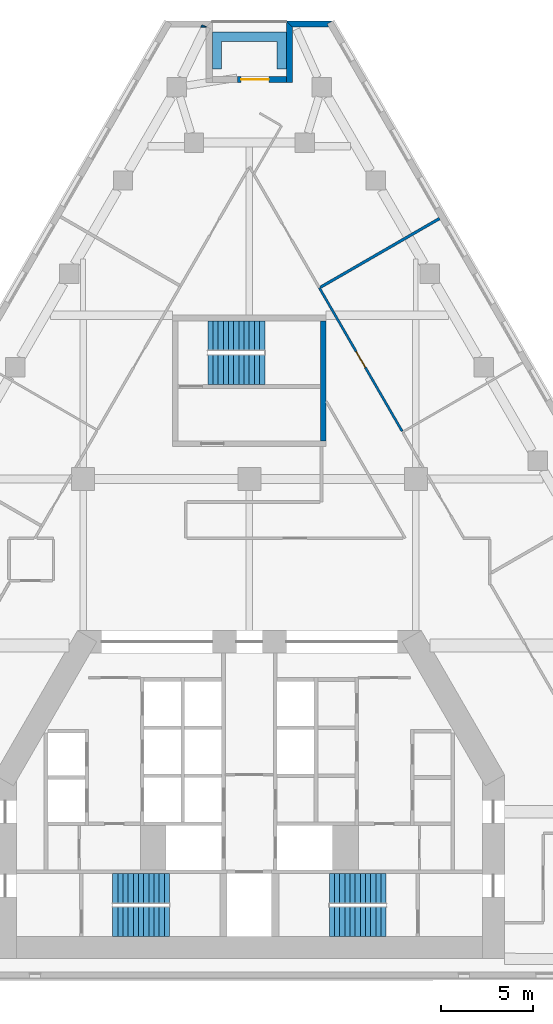
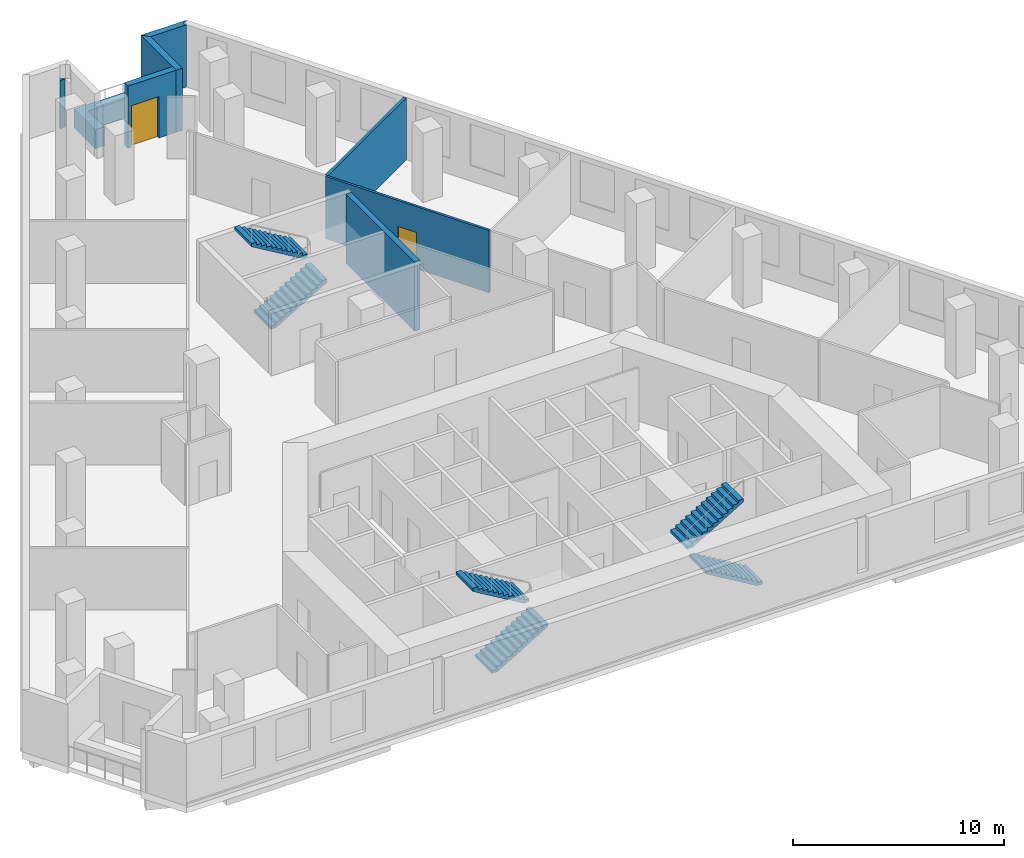
# One storey, part 9 of 10: 8 walls, 6 stair flights, 2 doors, 2 openings, 3 elements without a shape of their own.
"""IFC4 building model written with IfcOpenShell, lengths in metres."""

import ifcopenshell
import ifcopenshell.guid

model = None  # the IFC model being written
_history = None  # IfcOwnerHistory: only IFC2X3 demands one
_inside = {}  # id of a spatial element -> (the spatial element, [elements in it])
_under = {}  # id of a project, library or spatial element -> (it, [spatial elements below it])
_declared = {}  # id of a project -> (the project, [libraries it declares])
_typed = {}  # id of a type object -> (the type object, [elements of that type])
_made_of = {}  # id of a material, layer set ... -> (it, [elements and type objects made of it])


def new_model(schema):
    """Start an empty IFC model of exactly this schema.

    Asked for "IFC4X3", IfcOpenShell would pick the latest addendum, in which some entities
    have other attributes; the version numbers below select the first issue.
    IFC2X3 requires an IfcOwnerHistory on every rooted entity: one is made here for all.
    """
    global model, _history
    if schema == "IFC4X3":
        model = ifcopenshell.file(schema_version=(4, 3, 0, 0))
    else:
        model = ifcopenshell.file(schema=schema)
    _inside.clear()
    _under.clear()
    _declared.clear()
    _typed.clear()
    _made_of.clear()
    _history = None
    if model.schema == "IFC2X3":
        org = make("IfcOrganization", Name="unknown")
        user = make(
            "IfcPersonAndOrganization",
            ThePerson=make("IfcPerson", FamilyName="unknown"),
            TheOrganization=org,
        )
        app = make(
            "IfcApplication",
            ApplicationDeveloper=org,
            Version="unknown",
            ApplicationFullName="unknown",
            ApplicationIdentifier="unknown",
        )
        _history = make(
            "IfcOwnerHistory",
            OwningUser=user,
            OwningApplication=app,
            ChangeAction="ADDED",
            CreationDate=0,
        )
    return model


def make(cls, **values):
    """One entity of the class cls with the attributes given. An attribute that is None is left unset."""
    return model.create_entity(
        cls, **{name: value for name, value in values.items() if value is not None}
    )


def rooted(cls, **values):
    """An entity with a GlobalId (a new one), such as an element, a storey or a relation."""
    return make(cls, GlobalId=ifcopenshell.guid.new(), OwnerHistory=_history, **values)


def si_unit(unit_type, name, prefix=None):
    """IfcSIUnit, for example si_unit("LENGTHUNIT", "METRE", prefix="MILLI")."""
    return make("IfcSIUnit", UnitType=unit_type, Prefix=prefix, Name=name)


def assignment(units):
    """IfcUnitAssignment: the units of a project."""
    return None if units is None else make("IfcUnitAssignment", Units=units)


def point(xyz):
    """IfcCartesianPoint."""
    return None if xyz is None else make("IfcCartesianPoint", Coordinates=xyz)


def direction(xyz):
    """IfcDirection."""
    return None if xyz is None else make("IfcDirection", DirectionRatios=xyz)


def frame(location, z_axis=None, x_axis=None):
    """IfcAxis2Placement3D, a coordinate frame: its origin and axes. An axis left out is left unset."""
    return make(
        "IfcAxis2Placement3D",
        Location=point(location),
        Axis=direction(z_axis),
        RefDirection=direction(x_axis),
    )


def frame_2d(location, x_axis=None):
    """IfcAxis2Placement2D, a coordinate frame in the plane: its origin and x axis."""
    return make(
        "IfcAxis2Placement2D", Location=point(location), RefDirection=direction(x_axis)
    )


def origin():
    """The frame at (0, 0, 0) with its axes left unset."""
    return frame((0.0, 0.0, 0.0))


def place(relative_to, where):
    """IfcLocalPlacement: puts the frame where relative to a parent placement (None: the world)."""
    return make(
        "IfcLocalPlacement", PlacementRelTo=relative_to, RelativePlacement=where
    )


def context(
    kind, dimensions, precision=None, world=None, true_north=None, identifier=None
):
    """IfcGeometricRepresentationContext, for example the 3D "Model" context."""
    return make(
        "IfcGeometricRepresentationContext",
        ContextIdentifier=identifier,
        ContextType=kind,
        CoordinateSpaceDimension=dimensions,
        Precision=precision,
        WorldCoordinateSystem=world,
        TrueNorth=true_north,
    )


def subcontext(parent, identifier, kind, view, scale=None):
    """IfcGeometricRepresentationSubContext, for example "Body" below "Model"."""
    return make(
        "IfcGeometricRepresentationSubContext",
        ContextIdentifier=identifier,
        ContextType=kind,
        ParentContext=parent,
        TargetScale=scale,
        TargetView=view,
    )


def project(units=None, contexts=None):
    """IfcProject with its units and contexts."""
    return rooted(
        "IfcProject",
        Name="project",
        RepresentationContexts=contexts,
        UnitsInContext=assignment(units),
    )


def spatial(cls, under=None, at=None, **own):
    """A site, building, storey or space (cls), placed at a placement, below another one or the project."""
    s = rooted(cls, ObjectPlacement=at, **own)
    if under is not None:
        _under.setdefault(under.id(), (under, []))[1].append(s)
    return s


def polyline(points):
    """IfcPolyline through the points."""
    return make("IfcPolyline", Points=[point(p) for p in points])


def profile(cls, at=None, kind="AREA", **sizes):
    """A parametric profile (cls). Its sizes go by their IFC names, for example OverallWidth=200.0."""
    return make(cls, ProfileType=kind, Position=at, **sizes)


def rectangle(**sizes):
    """IfcRectangleProfileDef."""
    return profile("IfcRectangleProfileDef", **sizes)


def outline(outer, holes=None, kind="AREA"):
    """IfcArbitraryClosedProfileDef: a profile drawn as a closed curve; with holes, ...WithVoids."""
    if holes is None:
        return make("IfcArbitraryClosedProfileDef", ProfileType=kind, OuterCurve=outer)
    return make(
        "IfcArbitraryProfileDefWithVoids",
        ProfileType=kind,
        OuterCurve=outer,
        InnerCurves=holes,
    )


def extrude(swept, where, along, depth):
    """IfcExtrudedAreaSolid: the profile swept, set in the frame where, extruded along a direction by depth."""
    return make(
        "IfcExtrudedAreaSolid",
        SweptArea=swept,
        Position=where,
        ExtrudedDirection=direction(along),
        Depth=depth,
    )


def shape(context_of_items, identifier, shape_type, items):
    """IfcShapeRepresentation: the items that make up one representation, for example the "Body"."""
    return make(
        "IfcShapeRepresentation",
        ContextOfItems=context_of_items,
        RepresentationIdentifier=identifier,
        RepresentationType=shape_type,
        Items=items,
    )


def material(Name=None, Category=None):
    """IfcMaterial."""
    return make("IfcMaterial", Name=Name, Category=Category)


def layer(
    of_material, thickness, ventilated=None, Name=None, Category=None, Priority=None
):
    """IfcMaterialLayer: one layer of a wall or slab, of a material (None: an air gap)."""
    return make(
        "IfcMaterialLayer",
        Material=of_material,
        LayerThickness=thickness,
        IsVentilated=ventilated,
        Name=Name,
        Category=Category,
        Priority=Priority,
    )


def layer_set(layers, Name=None):
    """IfcMaterialLayerSet."""
    return make("IfcMaterialLayerSet", MaterialLayers=layers, LayerSetName=Name)


def made_of(thing, what):
    """Note that an element or type object is made of a material, layer set ...; save() writes the relation."""
    if what is not None:
        _made_of.setdefault(what.id(), (what, []))[1].append(thing)
    return thing


def type_object(cls, material=None, **own):
    """A type object (cls), such as IfcWallType, which elements share."""
    return made_of(rooted(cls, **own), material)


def element(
    cls,
    number,
    at=None,
    inside=None,
    cuts=None,
    type_object=None,
    material=None,
    context=None,
    identifier="Body",
    shape_type=None,
    held_by="IfcProductDefinitionShape",
    body=None,
    shapes=None,
    **own,
):
    """One element of the class cls, such as IfcWall. Its Tag is "e" and its number.

    at: its placement. inside: the storey or other place that contains it. cuts: it is an
    opening in that element (IfcRelVoidsElement). A single representation is given by context,
    identifier, shape_type and body (its items); several are given by shapes. held_by: the class
    of the entity that holds the representations. save() writes the other relations.
    """
    e = rooted(cls, Tag="e%d" % number, ObjectPlacement=at, **own)
    if body is not None:
        shapes = [shape(context, identifier, shape_type, body)]
    if shapes is not None:
        e.Representation = make(held_by, Representations=shapes)
    if inside is not None:
        _inside.setdefault(inside.id(), (inside, []))[1].append(e)
    if cuts is not None:
        rooted(
            "IfcRelVoidsElement", RelatingBuildingElement=cuts, RelatedOpeningElement=e
        )
    if type_object is not None:
        _typed.setdefault(type_object.id(), (type_object, []))[1].append(e)
    return made_of(e, material)


def fill(opening, filler):
    """IfcRelFillsElement: the door or window that sits in an opening."""
    return rooted(
        "IfcRelFillsElement",
        RelatingOpeningElement=opening,
        RelatedBuildingElement=filler,
    )


def aggregate(whole, parts):
    """IfcRelAggregates: a whole, such as a stair, and the parts it consists of."""
    return rooted("IfcRelAggregates", RelatingObject=whole, RelatedObjects=parts)


def save(model, path):
    """Write the relations noted so far, then the file.

    IfcRelAggregates (storeys below a building ...), IfcRelContainedInSpatialStructure (elements
    in a storey), IfcRelDefinesByType, IfcRelAssociatesMaterial and IfcRelDeclares: one each for
    every whole, place, type object, material and project.
    """
    for whole, parts in _under.values():
        aggregate(whole, parts)
    for where, things in _inside.values():
        rooted(
            "IfcRelContainedInSpatialStructure",
            RelatedElements=things,
            RelatingStructure=where,
        )
    for kind, things in _typed.values():
        rooted("IfcRelDefinesByType", RelatedObjects=things, RelatingType=kind)
    for what, things in _made_of.values():
        rooted("IfcRelAssociatesMaterial", RelatedObjects=things, RelatingMaterial=what)
    for by, libraries in _declared.values():
        rooted("IfcRelDeclares", RelatingContext=by, RelatedDefinitions=libraries)
    model.write(path)


model = new_model("IFC4")

# Units and contexts
model_context = context("Model", 3, precision=1e-05, world=origin(), true_north=direction((0.0, 1.0)))
body_context = subcontext(model_context, "Body", "Model", "MODEL_VIEW")
ifc_project = project(units=[si_unit("LENGTHUNIT", "METRE"), si_unit("AREAUNIT", "SQUARE_METRE"), si_unit("VOLUMEUNIT", "CUBIC_METRE"), si_unit("PLANEANGLEUNIT", "RADIAN"), si_unit("MASSUNIT", "GRAM", prefix="KILO")], contexts=[model_context])

# Site, building, storey
site_placement = place(None, origin())
site = spatial("IfcSite", under=ifc_project, at=site_placement, CompositionType="ELEMENT")
building_placement = place(site_placement, origin())
building = spatial("IfcBuilding", under=site, at=building_placement, Name="Fogline Exchange Tower", CompositionType="ELEMENT")
storey_placement = place(building_placement, frame((0.0, 0.0, 124.10009765625)))
storey = spatial("IfcBuildingStorey", under=building, at=storey_placement, Name="L27", CompositionType="ELEMENT", Elevation=124.10009765625)

# Walls
ifc_material_1 = material(Name="Concrete C40", Category="concrete")
ifc_layer_1 = layer(ifc_material_1, 0.300048828125)
ifc_layer_set_1 = layer_set([ifc_layer_1], Name="CW30")
wall_type_1 = type_object("IfcWallType", Name="CW30", PredefinedType="SOLIDWALL", material=ifc_layer_set_1)
wall_1_placement = place(storey_placement, frame((4.0, 29.056884765625, -0.400146484375), z_axis=(0.0, 0.0, 1.0), x_axis=(0.0, 1.0, 0.0)))
element("IfcWall", 1, at=wall_1_placement, inside=storey, type_object=wall_type_1, Name="Stair enclosure wall ST3", PredefinedType="SOLIDWALL", context=body_context, shape_type="SweptSolid", body=[
    extrude(rectangle(XDim=6.5, YDim=0.300048828125, at=frame_2d((3.25, 0.0))), origin(), (0.0, 0.0, 1.0), 4.0),
])
ifc_material_2 = material(Name="Brick masonry", Category="masonry")
ifc_layer_2 = layer(ifc_material_2, 0.340087890625)
ifc_layer_set_2 = layer_set([ifc_layer_2], Name="FW1")
wall_type_2 = type_object("IfcWallType", Name="FW1", PredefinedType="SOLIDWALL", material=ifc_layer_set_2)
wall_2_placement = place(storey_placement, origin())
element("IfcWall", 2, at=wall_2_placement, inside=storey, type_object=wall_type_2, Name="Brick wall L27 N-c1", PredefinedType="SOLIDWALL", context=body_context, shape_type="SweptSolid", body=[
    extrude(outline(polyline([(1.9990234375, 51.77734375), (4.5009765625, 51.77734375), (4.501220703125, 51.776611328125), (4.206298828125, 51.6064453125), (4.3046875, 51.43603515625), (2.33984375, 51.43603515625), (1.998779296875, 51.77685546875), (1.9990234375, 51.77734375)])), origin(), (0.0, 0.0, 1.0), 3.599853515625),
])
wall_3_placement = place(storey_placement, origin())
element("IfcWall", 3, at=wall_3_placement, inside=storey, type_object=wall_type_2, Name="Brick wall L27 N-s1", PredefinedType="SOLIDWALL", context=body_context, shape_type="SweptSolid", body=[
    extrude(outline(polyline([(2.340576171875, 48.43603515625), (1.99951171875, 48.43603515625), (1.99951171875, 51.777587890625), (1.999755859375, 51.77783203125), (2.340576171875, 51.43701171875), (2.340576171875, 48.43603515625)])), origin(), (0.0, 0.0, 1.0), 3.599853515625),
])

# Wall, opening, door
wall_4_placement = place(storey_placement, frame((2.0, 48.606689453125, 0.0), z_axis=(0.0, 0.0, 1.0), x_axis=(-1.0, 0.0, 0.0)))
wall_4 = element("IfcWall", 4, at=wall_4_placement, inside=storey, type_object=wall_type_2, Name="Brick wall L27 N-bk", PredefinedType="SOLIDWALL", context=body_context, shape_type="SweptSolid", body=[
    extrude(rectangle(XDim=2.64404296875, YDim=0.340087890625, at=frame_2d((1.322021484375, 0.0))), origin(), (0.0, 0.0, 1.0), 3.599853515625),
])
opening_1_placement = place(wall_4_placement, frame((0.944091796875, 0.0, 0.0)))
opening_1 = element("IfcOpeningElement", 5, at=opening_1_placement, cuts=wall_4, Name="Opening T08-E141", PredefinedType="OPENING", context=body_context, shape_type="SweptSolid", body=[
    extrude(rectangle(XDim=1.5, YDim=2.39990234375, at=frame_2d((0.75, 1.199951171875))), frame((0.0, 0.18017578125, 0.0), z_axis=(0.0, -1.0, 0.0), x_axis=(1.0, 0.0, 0.0)), (0.0, 0.0, 1.0), 0.360107421875),
])
ifc_material_3 = material(Name="Aluminium and glass", Category="aluminium")
door_type_1 = type_object("IfcDoorType", Name="ED4", OperationType="SINGLE_SWING_LEFT", PredefinedType="DOOR", material=ifc_material_3)
door_1_placement = place(opening_1_placement, frame((1.5, 0.0, 0.0), z_axis=(0.0, 0.0, 1.0), x_axis=(-1.0, 0.0, 0.0)))
door_1 = element("IfcDoor", 6, at=door_1_placement, inside=storey, type_object=door_type_1, Name="Balcony door L27 N", OperationType="DOUBLE_DOOR_SINGLE_SWING", OverallHeight=2.39990234375, OverallWidth=1.5, PredefinedType="DOOR", context=body_context, shape_type="SweptSolid", body=[
    extrude(rectangle(XDim=1.5, YDim=2.39990234375, at=frame_2d((0.75, 1.199951171875))), frame((0.0, 0.02490234375, 0.0), z_axis=(0.0, -1.0, 0.0), x_axis=(1.0, 0.0, 0.0)), (0.0, 0.0, 1.0), 0.050048828125),
])
fill(opening_1, door_1)

# Walls
wall_5_placement = place(storey_placement, origin())
element("IfcWall", 7, at=wall_5_placement, inside=storey, type_object=wall_type_2, Name="Brick wall L27 N-c2", PredefinedType="SOLIDWALL", context=body_context, shape_type="SweptSolid", body=[
    extrude(outline(polyline([(-2.33984375, 51.43603515625), (-2.63232421875, 51.43603515625), (-2.56494140625, 51.5751953125), (-2.3193359375, 51.456298828125), (-2.33984375, 51.43603515625)])), origin(), (0.0, 0.0, 1.0), 2.7998046875),
])
ifc_material_4 = material(Name="Concrete C30", Category="concrete")
ifc_layer_3 = layer(ifc_material_4, 0.199951171875)
ifc_layer_set_3 = layer_set([ifc_layer_3], Name="PL1")
wall_type_3 = type_object("IfcWallType", Name="PL1", PredefinedType="USERDEFINED", material=ifc_layer_set_3)
wall_6_placement = place(storey_placement, origin())
element("IfcWall", 8, at=wall_6_placement, inside=storey, type_object=wall_type_3, Name="PLANTER balcony L27 N", ObjectType="PLANTER", PredefinedType="USERDEFINED", context=body_context, shape_type="SweptSolid", body=[
    extrude(outline(polyline([(-1.5, 51.1767578125), (-2.0, 51.1767578125), (-2.0, 50.6767578125), (-2.0, 49.1767578125), (-1.5, 49.1767578125), (-1.5, 50.6767578125), (1.5, 50.6767578125), (1.5, 49.1767578125), (2.0, 49.1767578125), (2.0, 50.6767578125), (2.0, 51.1767578125), (1.5, 51.1767578125), (-1.5, 51.1767578125)])), origin(), (0.0, 0.0, 1.0), 1.099853515625),
])

# Wall, opening, door
ifc_material_5 = material(Name="Plasterboard corridor partition with mineral wool, 2 layers each side")
ifc_layer_4 = layer(ifc_material_5, 0.125)
ifc_layer_set_4 = layer_set([ifc_layer_4], Name="PW2")
wall_type_4 = type_object("IfcWallType", Name="PW2", PredefinedType="PARTITIONING", material=ifc_layer_set_4)
wall_7_placement = place(storey_placement, frame((3.7841796875, 37.336669921875, 0.0), z_axis=(0.0, 0.0, 1.0), x_axis=(0.49998850867, -0.866032038205, 0.0)))
wall_7 = element("IfcWall", 9, at=wall_7_placement, inside=storey, type_object=wall_type_4, Name="wall-L27-W013", PredefinedType="PARTITIONING", context=body_context, shape_type="SweptSolid", body=[
    extrude(rectangle(XDim=8.949462890625, YDim=0.125, at=frame_2d((4.474609375, 0.0))), origin(), (0.0, 0.0, 1.0), 3.599853515625),
])
opening_2_placement = place(wall_7_placement, frame((3.974609375, 0.0, 0.0)))
opening_2 = element("IfcOpeningElement", 10, at=opening_2_placement, cuts=wall_7, Name="Opening T08-D006", PredefinedType="OPENING", context=body_context, shape_type="SweptSolid", body=[
    extrude(rectangle(XDim=1.0, YDim=2.10009765625, at=frame_2d((0.5, 1.050048828125))), frame((0.0, 0.072509765625, 0.0), z_axis=(0.0, -1.0, 0.0), x_axis=(1.0, 0.0, 0.0)), (0.0, 0.0, 1.0), 0.14501953125),
])
ifc_material_6 = material(Name="Fire-rated timber door leaf with steel frame", Category="steel")
door_type_2 = type_object("IfcDoorType", Name="D3", OperationType="SINGLE_SWING_LEFT", PredefinedType="DOOR", material=ifc_material_6)
door_2_placement = place(opening_2_placement, origin())
door_2 = element("IfcDoor", 11, at=door_2_placement, inside=storey, type_object=door_type_2, Name="door-L27-D006", OperationType="SINGLE_SWING_LEFT", OverallHeight=2.10009765625, OverallWidth=1.0, PredefinedType="DOOR", context=body_context, shape_type="SweptSolid", body=[
    extrude(rectangle(XDim=1.0, YDim=2.10009765625, at=frame_2d((0.5, 1.050048828125))), frame((0.0, 0.02490234375, 0.0), z_axis=(0.0, -1.0, 0.0), x_axis=(1.0, 0.0, 0.0)), (0.0, 0.0, 1.0), 0.050048828125),
])
fill(opening_2, door_2)

# Wall
ifc_material_7 = material(Name="Plasterboard demising partition with mineral wool and acoustic board")
ifc_layer_5 = layer(ifc_material_7, 0.14990234375)
ifc_layer_set_5 = layer_set([ifc_layer_5], Name="PW3")
wall_type_5 = type_object("IfcWallType", Name="PW3", PredefinedType="PARTITIONING", material=ifc_layer_set_5)
wall_8_placement = place(storey_placement, frame((3.838134765625, 37.367919921875, 0.0), z_axis=(0.0, 0.0, 1.0), x_axis=(0.866028703517, 0.499994284652, 0.0)))
element("IfcWall", 12, at=wall_8_placement, inside=storey, type_object=wall_type_5, Name="wall-L27-W036", PredefinedType="PARTITIONING", context=body_context, shape_type="SweptSolid", body=[
    extrude(rectangle(XDim=7.4375, YDim=0.14990234375, at=frame_2d((3.71875, 0.0))), origin(), (0.0, 0.0, 1.0), 3.599853515625),
])

# Stair, stair flights
stair_type = type_object("IfcStairType", Name="STR24-1667", PredefinedType="HALF_TURN_STAIR", material=ifc_material_1)
stair_1_placement = place(storey_placement, origin())
stair_1 = element("IfcStair", 13, at=stair_1_placement, inside=storey, type_object=stair_type, Name="Stair ST1", PredefinedType="HALF_TURN_STAIR")
stair_flight_type = type_object("IfcStairFlightType", Name="SF12-1667", PredefinedType="STRAIGHT", material=ifc_material_1)
stair_flight_1_placement = place(storey_placement, frame((-7.39990234375, 3.050048828125, 0.0), z_axis=(0.0, 0.0, 1.0), x_axis=(1.0, 0.0, 0.0)))
stair_flight_1 = element("IfcStairFlight", 14, at=stair_flight_1_placement, type_object=stair_flight_type, Name="ST1 flight 1", NumberOfRisers=12, NumberOfTreads=11, PredefinedType="STRAIGHT", RiserHeight=0.166666667, TreadLength=0.28, context=body_context, shape_type="SweptSolid", body=[
    extrude(outline(polyline([(0.0, 0.0), (0.0, 0.166748046875), (0.280029296875, 0.166748046875), (0.280029296875, 0.333251953125), (0.56005859375, 0.333251953125), (0.56005859375, 0.5), (0.840087890625, 0.5), (0.840087890625, 0.666748046875), (1.1201171875, 0.666748046875), (1.1201171875, 0.833251953125), (1.39990234375, 0.833251953125), (1.39990234375, 1.0), (1.679931640625, 1.0), (1.679931640625, 1.166748046875), (1.9599609375, 1.166748046875), (1.9599609375, 1.333251953125), (2.239990234375, 1.333251953125), (2.239990234375, 1.5), (2.52001953125, 1.5), (2.52001953125, 1.666748046875), (2.800048828125, 1.666748046875), (2.800048828125, 1.833251953125), (3.080078125, 1.833251953125), (3.080078125, 2.0), (3.080078125, 1.658935546875), (0.29296875, 0.0), (0.0, 0.0)])), frame((0.0, 0.800048828125, 0.0), z_axis=(0.0, -1.0, 0.0), x_axis=(1.0, 0.0, 0.0)), (0.0, 0.0, 1.0), 1.60009765625),
])
stair_flight_2_placement = place(storey_placement, frame((-4.320068359375, 4.85009765625, 2.0), z_axis=(0.0, 0.0, 1.0), x_axis=(-1.0, 0.0, 0.0)))
stair_flight_2 = element("IfcStairFlight", 15, at=stair_flight_2_placement, type_object=stair_flight_type, Name="ST1 flight 2", NumberOfRisers=12, NumberOfTreads=11, PredefinedType="STRAIGHT", RiserHeight=0.166666667, TreadLength=0.28, context=body_context, shape_type="SweptSolid", body=[
    extrude(outline(polyline([(0.0, 0.0), (0.0, 0.166748046875), (0.280029296875, 0.166748046875), (0.280029296875, 0.333251953125), (0.56005859375, 0.333251953125), (0.56005859375, 0.5), (0.840087890625, 0.5), (0.840087890625, 0.666748046875), (1.1201171875, 0.666748046875), (1.1201171875, 0.833251953125), (1.39990234375, 0.833251953125), (1.39990234375, 1.0), (1.679931640625, 1.0), (1.679931640625, 1.166748046875), (1.9599609375, 1.166748046875), (1.9599609375, 1.333251953125), (2.239990234375, 1.333251953125), (2.239990234375, 1.5), (2.52001953125, 1.5), (2.52001953125, 1.666748046875), (2.800048828125, 1.666748046875), (2.800048828125, 1.833251953125), (3.080078125, 1.833251953125), (3.080078125, 2.0), (3.080078125, 1.658935546875), (0.29296875, 0.0), (0.0, 0.0)])), frame((0.0, 0.800048828125, 0.0), z_axis=(0.0, -1.0, 0.0), x_axis=(1.0, 0.0, 0.0)), (0.0, 0.0, 1.0), 1.60009765625),
])
aggregate(stair_1, [stair_flight_1, stair_flight_2])

stair_2_placement = place(storey_placement, origin())
stair_2 = element("IfcStair", 16, at=stair_2_placement, inside=storey, type_object=stair_type, Name="Stair ST2", PredefinedType="HALF_TURN_STAIR")
stair_flight_3_placement = place(storey_placement, frame((7.39990234375, 3.050048828125, 0.0), z_axis=(0.0, 0.0, 1.0), x_axis=(-1.0, 0.0, 0.0)))
stair_flight_3 = element("IfcStairFlight", 17, at=stair_flight_3_placement, type_object=stair_flight_type, Name="ST2 flight 1", NumberOfRisers=12, NumberOfTreads=11, PredefinedType="STRAIGHT", RiserHeight=0.166666667, TreadLength=0.28, context=body_context, shape_type="SweptSolid", body=[
    extrude(outline(polyline([(0.0, 0.0), (0.0, 0.166748046875), (0.280029296875, 0.166748046875), (0.280029296875, 0.333251953125), (0.56005859375, 0.333251953125), (0.56005859375, 0.5), (0.840087890625, 0.5), (0.840087890625, 0.666748046875), (1.1201171875, 0.666748046875), (1.1201171875, 0.833251953125), (1.39990234375, 0.833251953125), (1.39990234375, 1.0), (1.679931640625, 1.0), (1.679931640625, 1.166748046875), (1.9599609375, 1.166748046875), (1.9599609375, 1.333251953125), (2.239990234375, 1.333251953125), (2.239990234375, 1.5), (2.52001953125, 1.5), (2.52001953125, 1.666748046875), (2.800048828125, 1.666748046875), (2.800048828125, 1.833251953125), (3.080078125, 1.833251953125), (3.080078125, 2.0), (3.080078125, 1.658935546875), (0.29296875, 0.0), (0.0, 0.0)])), frame((0.0, 0.800048828125, 0.0), z_axis=(0.0, -1.0, 0.0), x_axis=(1.0, 0.0, 0.0)), (0.0, 0.0, 1.0), 1.60009765625),
])
stair_flight_4_placement = place(storey_placement, frame((4.320068359375, 4.85009765625, 2.0), z_axis=(0.0, 0.0, 1.0), x_axis=(1.0, 0.0, 0.0)))
stair_flight_4 = element("IfcStairFlight", 18, at=stair_flight_4_placement, type_object=stair_flight_type, Name="ST2 flight 2", NumberOfRisers=12, NumberOfTreads=11, PredefinedType="STRAIGHT", RiserHeight=0.166666667, TreadLength=0.28, context=body_context, shape_type="SweptSolid", body=[
    extrude(outline(polyline([(0.0, 0.0), (0.0, 0.166748046875), (0.280029296875, 0.166748046875), (0.280029296875, 0.333251953125), (0.56005859375, 0.333251953125), (0.56005859375, 0.5), (0.840087890625, 0.5), (0.840087890625, 0.666748046875), (1.1201171875, 0.666748046875), (1.1201171875, 0.833251953125), (1.39990234375, 0.833251953125), (1.39990234375, 1.0), (1.679931640625, 1.0), (1.679931640625, 1.166748046875), (1.9599609375, 1.166748046875), (1.9599609375, 1.333251953125), (2.239990234375, 1.333251953125), (2.239990234375, 1.5), (2.52001953125, 1.5), (2.52001953125, 1.666748046875), (2.800048828125, 1.666748046875), (2.800048828125, 1.833251953125), (3.080078125, 1.833251953125), (3.080078125, 2.0), (3.080078125, 1.658935546875), (0.29296875, 0.0), (0.0, 0.0)])), frame((0.0, 0.800048828125, 0.0), z_axis=(0.0, -1.0, 0.0), x_axis=(1.0, 0.0, 0.0)), (0.0, 0.0, 1.0), 1.60009765625),
])
aggregate(stair_2, [stair_flight_3, stair_flight_4])

stair_3_placement = place(storey_placement, origin())
stair_3 = element("IfcStair", 19, at=stair_3_placement, inside=storey, type_object=stair_type, Name="Stair ST3", PredefinedType="HALF_TURN_STAIR")
stair_flight_5_placement = place(storey_placement, frame((-2.25, 32.906982421875, 0.0), z_axis=(0.0, 0.0, 1.0), x_axis=(1.0, 0.0, 0.0)))
stair_flight_5 = element("IfcStairFlight", 20, at=stair_flight_5_placement, type_object=stair_flight_type, Name="ST3 flight 1", NumberOfRisers=12, NumberOfTreads=11, PredefinedType="STRAIGHT", RiserHeight=0.166666667, TreadLength=0.28, context=body_context, shape_type="SweptSolid", body=[
    extrude(outline(polyline([(0.0, 0.0), (0.0, 0.166748046875), (0.280029296875, 0.166748046875), (0.280029296875, 0.333251953125), (0.56005859375, 0.333251953125), (0.56005859375, 0.5), (0.840087890625, 0.5), (0.840087890625, 0.666748046875), (1.1201171875, 0.666748046875), (1.1201171875, 0.833251953125), (1.39990234375, 0.833251953125), (1.39990234375, 1.0), (1.679931640625, 1.0), (1.679931640625, 1.166748046875), (1.9599609375, 1.166748046875), (1.9599609375, 1.333251953125), (2.239990234375, 1.333251953125), (2.239990234375, 1.5), (2.52001953125, 1.5), (2.52001953125, 1.666748046875), (2.800048828125, 1.666748046875), (2.800048828125, 1.833251953125), (3.080078125, 1.833251953125), (3.080078125, 2.0), (3.080078125, 1.658935546875), (0.29296875, 0.0), (0.0, 0.0)])), frame((0.0, 0.800048828125, 0.0), z_axis=(0.0, -1.0, 0.0), x_axis=(1.0, 0.0, 0.0)), (0.0, 0.0, 1.0), 1.60009765625),
])
stair_flight_6_placement = place(storey_placement, frame((0.830078125, 34.757080078125, 2.0), z_axis=(0.0, 0.0, 1.0), x_axis=(-1.0, 0.0, 0.0)))
stair_flight_6 = element("IfcStairFlight", 21, at=stair_flight_6_placement, type_object=stair_flight_type, Name="ST3 flight 2", NumberOfRisers=12, NumberOfTreads=11, PredefinedType="STRAIGHT", RiserHeight=0.166666667, TreadLength=0.28, context=body_context, shape_type="SweptSolid", body=[
    extrude(outline(polyline([(0.0, 0.0), (0.0, 0.166748046875), (0.280029296875, 0.166748046875), (0.280029296875, 0.333251953125), (0.56005859375, 0.333251953125), (0.56005859375, 0.5), (0.840087890625, 0.5), (0.840087890625, 0.666748046875), (1.1201171875, 0.666748046875), (1.1201171875, 0.833251953125), (1.39990234375, 0.833251953125), (1.39990234375, 1.0), (1.679931640625, 1.0), (1.679931640625, 1.166748046875), (1.9599609375, 1.166748046875), (1.9599609375, 1.333251953125), (2.239990234375, 1.333251953125), (2.239990234375, 1.5), (2.52001953125, 1.5), (2.52001953125, 1.666748046875), (2.800048828125, 1.666748046875), (2.800048828125, 1.833251953125), (3.080078125, 1.833251953125), (3.080078125, 2.0), (3.080078125, 1.658935546875), (0.29296875, 0.0), (0.0, 0.0)])), frame((0.0, 0.800048828125, 0.0), z_axis=(0.0, -1.0, 0.0), x_axis=(1.0, 0.0, 0.0)), (0.0, 0.0, 1.0), 1.60009765625),
])
aggregate(stair_3, [stair_flight_5, stair_flight_6])

save(model, "model.ifc")
